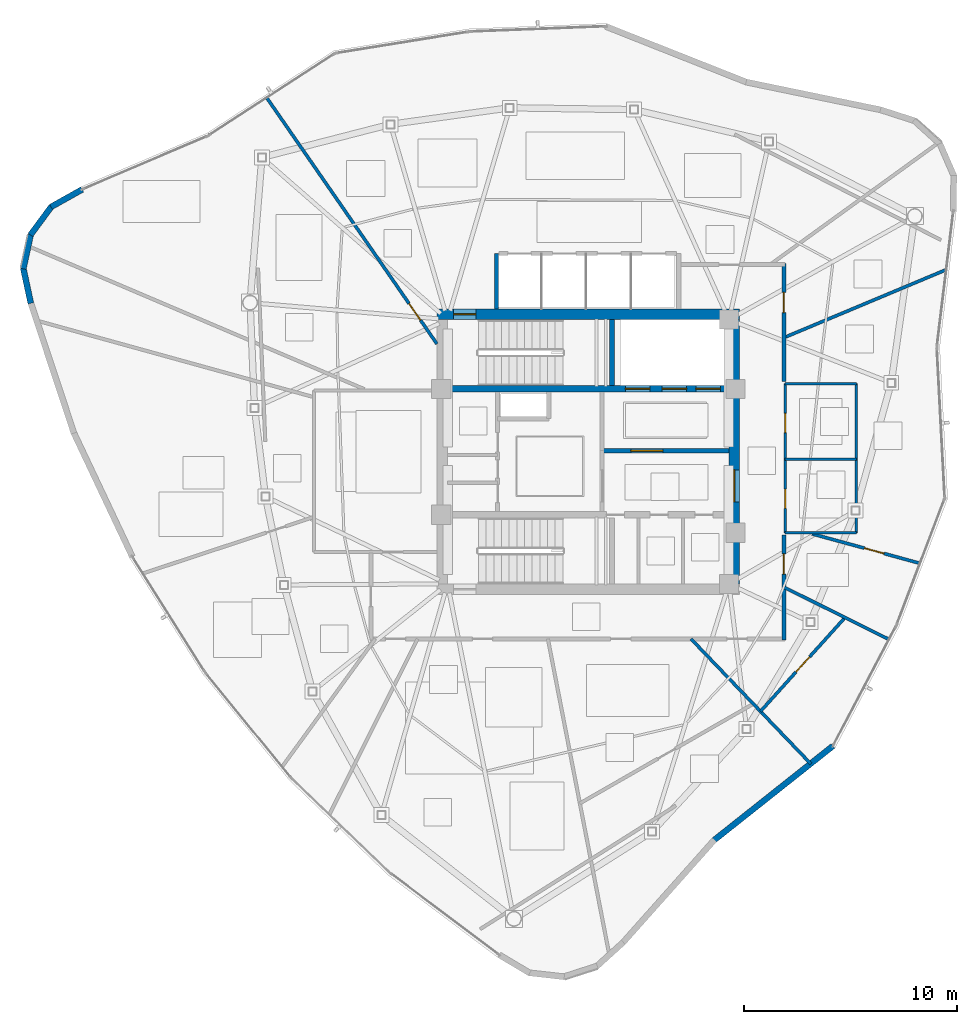
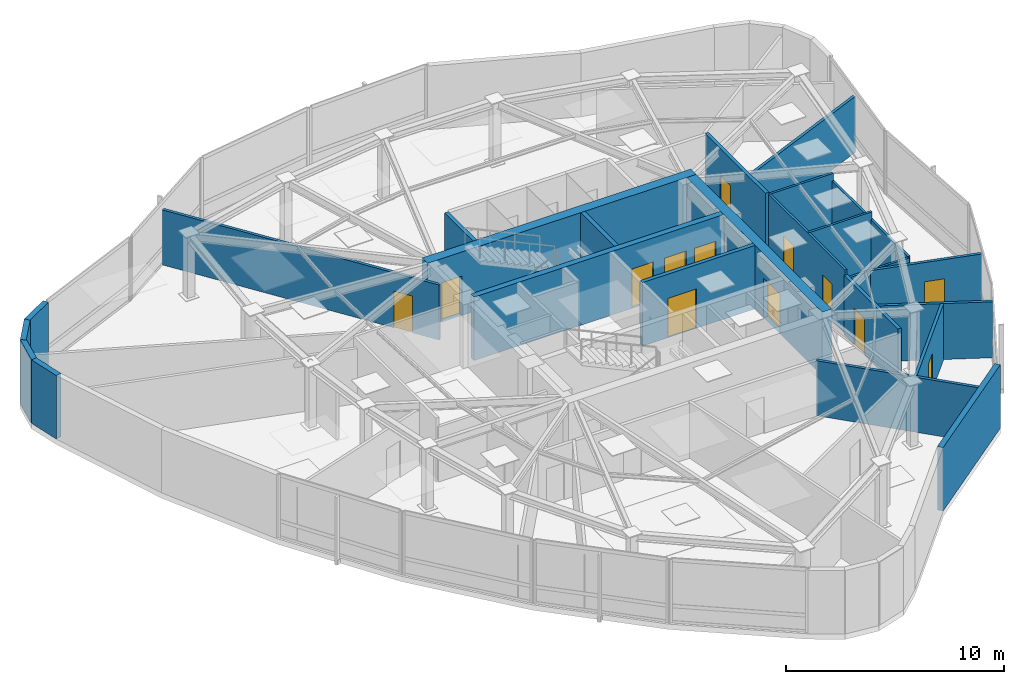
# One storey, part 9 of 12: 24 walls, 13 doors, 13 openings.
"""IFC4 building model written with IfcOpenShell, lengths in metres."""

from ifc_helpers import new_model, si_unit, direction, frame, frame_2d, origin, place, context, subcontext, project, spatial, rectangle, extrude, material, layer, layer_set, type_object, element, fill, save


model = new_model("IFC4")

# Units and contexts
model_context = context("Model", 3, precision=1e-05, world=origin(), true_north=direction((0.0, 1.0)))
body_context = subcontext(model_context, "Body", "Model", "MODEL_VIEW")
ifc_project = project(units=[si_unit("LENGTHUNIT", "METRE"), si_unit("AREAUNIT", "SQUARE_METRE"), si_unit("VOLUMEUNIT", "CUBIC_METRE"), si_unit("PLANEANGLEUNIT", "RADIAN"), si_unit("MASSUNIT", "GRAM", prefix="KILO")], contexts=[model_context])

# Site, building, storey
site_placement = place(None, origin())
site = spatial("IfcSite", under=ifc_project, at=site_placement, CompositionType="ELEMENT")
building_placement = place(site_placement, origin())
building = spatial("IfcBuilding", under=site, at=building_placement, Name="Tavelor Broadcast Tower", CompositionType="ELEMENT")
storey_placement = place(building_placement, frame((0.0, 0.0, 321.5)))
storey = spatial("IfcBuildingStorey", under=building, at=storey_placement, Name="L77", CompositionType="ELEMENT", Elevation=321.5)

# Wall, opening, door
ifc_material_1 = material(Name="Concrete C50/60", Category="concrete")
ifc_layer_1 = layer(ifc_material_1, 0.5)
ifc_layer_set_1 = layer_set([ifc_layer_1], Name="Concrete C50/60")
wall_type_1 = type_object("IfcWallType", Name="Core Shear Wall 500 mm", PredefinedType="SHEAR", material=ifc_layer_set_1)
wall_1_placement = place(storey_placement, frame((42.89990234375, 51.449951171875, 0.0), z_axis=(0.0, 0.0, 1.0), x_axis=(1.0, 0.0, 0.0)))
wall_1 = element("IfcWall", 1, at=wall_1_placement, inside=storey, type_object=wall_type_1, Name="L77 Central Core Shear Wall N", PredefinedType="SHEAR", context=body_context, shape_type="SweptSolid", body=[
    extrude(rectangle(XDim=14.2001953125, YDim=0.5, at=frame_2d((7.10009765625, 0.0))), origin(), (0.0, 0.0, 1.0), 3.550048828125),
])
opening_1_placement = place(wall_1_placement, frame((0.780029296875, 0.0, 0.0)))
opening_1 = element("IfcOpeningElement", 2, at=opening_1_placement, cuts=wall_1, Name="Opening DR11", PredefinedType="OPENING", context=body_context, shape_type="SweptSolid", body=[
    extrude(rectangle(XDim=1.050048828125, YDim=2.199951171875, at=frame_2d((0.52490234375, 1.10009765625))), frame((0.0, 0.260009765625, 0.0), z_axis=(0.0, -1.0, 0.0), x_axis=(1.0, 0.0, 0.0)), (0.0, 0.0, 1.0), 0.52001953125),
])
ifc_material_2 = material(Name="Steel S355", Category="steel")
door_type_1 = type_object("IfcDoorType", Name="Stair Core Fire Escape Door 1050x2200", OperationType="NOTDEFINED", PredefinedType="DOOR", material=ifc_material_2)
door_1_placement = place(opening_1_placement, origin())
door_1 = element("IfcDoor", 3, at=door_1_placement, inside=storey, type_object=door_type_1, Name="L77 Stair ST1 Protected Exit Door", OperationType="SINGLE_SWING_LEFT", OverallHeight=2.199951171875, OverallWidth=1.050048828125, PredefinedType="DOOR", context=body_context, shape_type="SweptSolid", body=[
    extrude(rectangle(XDim=1.050048828125, YDim=2.199951171875, at=frame_2d((0.52490234375, 1.10009765625))), frame((0.0, 0.02490234375, 0.0), z_axis=(0.0, -1.0, 0.0), x_axis=(1.0, 0.0, 0.0)), (0.0, 0.0, 1.0), 0.050048828125),
])
fill(opening_1, door_1)

wall_2_placement = place(storey_placement, frame((56.85009765625, 38.800048828125, 0.0), z_axis=(0.0, 0.0, 1.0), x_axis=(0.0, 1.0, 0.0)))
wall_2 = element("IfcWall", 4, at=wall_2_placement, inside=storey, type_object=wall_type_1, Name="L77 Central Core Shear Wall E", PredefinedType="SHEAR", context=body_context, shape_type="SweptSolid", body=[
    extrude(rectangle(XDim=12.39990234375, YDim=0.5, at=frame_2d((6.199951171875, 0.0))), origin(), (0.0, 0.0, 1.0), 3.550048828125),
])
opening_2_placement = place(wall_2_placement, frame((3.85009765625, 0.0, 0.0)))
opening_2 = element("IfcOpeningElement", 5, at=opening_2_placement, cuts=wall_2, Name="Opening DR14", PredefinedType="OPENING", context=body_context, shape_type="SweptSolid", body=[
    extrude(rectangle(XDim=1.5, YDim=2.199951171875, at=frame_2d((0.75, 1.10009765625))), frame((0.0, 0.260009765625, 0.0), z_axis=(0.0, -1.0, 0.0), x_axis=(1.0, 0.0, 0.0)), (0.0, 0.0, 1.0), 0.52001953125),
])
door_type_2 = type_object("IfcDoorType", Name="Firefighting Lobby Double Fire Door 1500x2200", OperationType="NOTDEFINED", PredefinedType="DOOR", material=ifc_material_2)
door_2_placement = place(opening_2_placement, origin())
door_2 = element("IfcDoor", 6, at=door_2_placement, inside=storey, type_object=door_type_2, Name="L77 Central Core Lobby Fire Door", OperationType="SINGLE_SWING_RIGHT", OverallHeight=2.199951171875, OverallWidth=1.5, PredefinedType="DOOR", context=body_context, shape_type="SweptSolid", body=[
    extrude(rectangle(XDim=1.5, YDim=2.199951171875, at=frame_2d((0.75, 1.10009765625))), frame((0.0, 0.02490234375, 0.0), z_axis=(0.0, -1.0, 0.0), x_axis=(1.0, 0.0, 0.0)), (0.0, 0.0, 1.0), 0.050048828125),
])
fill(opening_2, door_2)

# Wall, openings, doors
ifc_layer_2 = layer(ifc_material_1, 0.300048828125)
ifc_layer_set_2 = layer_set([ifc_layer_2], Name="Concrete C50/60")
wall_type_2 = type_object("IfcWallType", Name="Core Spine Shear Wall 300 mm C50", PredefinedType="SHEAR", material=ifc_layer_set_2)
wall_3_placement = place(storey_placement, frame((43.39990234375, 47.949951171875, 0.0), z_axis=(0.0, 0.0, 1.0), x_axis=(1.0, 0.0, 0.0)))
wall_3 = element("IfcWall", 7, at=wall_3_placement, inside=storey, type_object=wall_type_2, Name="L77 Central Core Shear Wall SP1", PredefinedType="SHEAR", context=body_context, shape_type="SweptSolid", body=[
    extrude(rectangle(XDim=13.2001953125, YDim=0.300048828125, at=frame_2d((6.60009765625, 0.0))), origin(), (0.0, 0.0, 1.0), 3.550048828125),
])
opening_3_placement = place(wall_3_placement, frame((8.344970703125, 0.0, 0.0)))
opening_3 = element("IfcOpeningElement", 8, at=opening_3_placement, cuts=wall_3, Name="Opening LD02", PredefinedType="OPENING", context=body_context, shape_type="SweptSolid", body=[
    extrude(rectangle(XDim=1.14990234375, YDim=2.199951171875, at=frame_2d((0.574951171875, 1.10009765625))), frame((0.0, 0.16015625, 0.0), z_axis=(0.0, -1.0, 0.0), x_axis=(1.0, 0.0, 0.0)), (0.0, 0.0, 1.0), 0.320068359375),
])
opening_4_placement = place(wall_3_placement, frame((10.06494140625, 0.0, 0.0)))
opening_4 = element("IfcOpeningElement", 9, at=opening_4_placement, cuts=wall_3, Name="Opening LD02", PredefinedType="OPENING", context=body_context, shape_type="SweptSolid", body=[
    extrude(rectangle(XDim=1.14990234375, YDim=2.199951171875, at=frame_2d((0.574951171875, 1.10009765625))), frame((0.0, 0.16015625, 0.0), z_axis=(0.0, -1.0, 0.0), x_axis=(1.0, 0.0, 0.0)), (0.0, 0.0, 1.0), 0.320068359375),
])
opening_5_placement = place(wall_3_placement, frame((11.64501953125, 0.0, 0.0)))
opening_5 = element("IfcOpeningElement", 10, at=opening_5_placement, cuts=wall_3, Name="Opening LD03", PredefinedType="OPENING", context=body_context, shape_type="SweptSolid", body=[
    extrude(rectangle(XDim=1.14990234375, YDim=2.199951171875, at=frame_2d((0.574951171875, 1.10009765625))), frame((0.0, 0.16015625, 0.0), z_axis=(0.0, -1.0, 0.0), x_axis=(1.0, 0.0, 0.0)), (0.0, 0.0, 1.0), 0.320068359375),
])
ifc_material_3 = material(Name="Reinforced Brushed Stainless Steel", Category="concrete")
door_type_3 = type_object("IfcDoorType", Name="Broadcast Goods Lift Sliding Landing Door 1250x2200", OperationType="NOTDEFINED", PredefinedType="DOOR", material=ifc_material_3)
door_3_placement = place(opening_5_placement, origin())
door_3 = element("IfcDoor", 11, at=door_3_placement, inside=storey, type_object=door_type_3, Name="L77 Lift SVL1 Sliding Landing Door", OperationType="SLIDING_TO_LEFT", OverallHeight=2.199951171875, OverallWidth=1.14990234375, PredefinedType="DOOR", context=body_context, shape_type="SweptSolid", body=[
    extrude(rectangle(XDim=1.14990234375, YDim=2.199951171875, at=frame_2d((0.574951171875, 1.10009765625))), frame((0.0, 0.02490234375, 0.0), z_axis=(0.0, -1.0, 0.0), x_axis=(1.0, 0.0, 0.0)), (0.0, 0.0, 1.0), 0.050048828125),
])
fill(opening_5, door_3)
ifc_material_4 = material(Name="Fire-Rated Stainless Steel", Category="steel")
door_type_4 = type_object("IfcDoorType", Name="Firefighting Lift Sliding Landing Door 1200x2200", OperationType="NOTDEFINED", PredefinedType="DOOR", material=ifc_material_4)
door_4_placement = place(opening_3_placement, origin())
door_4 = element("IfcDoor", 12, at=door_4_placement, inside=storey, type_object=door_type_4, Name="L77 Lift FFL1 Sliding Landing Door", OperationType="SLIDING_TO_LEFT", OverallHeight=2.199951171875, OverallWidth=1.14990234375, PredefinedType="DOOR", context=body_context, shape_type="SweptSolid", body=[
    extrude(rectangle(XDim=1.14990234375, YDim=2.199951171875, at=frame_2d((0.574951171875, 1.10009765625))), frame((0.0, 0.02490234375, 0.0), z_axis=(0.0, -1.0, 0.0), x_axis=(1.0, 0.0, 0.0)), (0.0, 0.0, 1.0), 0.050048828125),
])
fill(opening_3, door_4)
door_5_placement = place(opening_4_placement, origin())
door_5 = element("IfcDoor", 13, at=door_5_placement, inside=storey, type_object=door_type_4, Name="L77 Lift FFL2 Sliding Landing Door", OperationType="SLIDING_TO_LEFT", OverallHeight=2.199951171875, OverallWidth=1.14990234375, PredefinedType="DOOR", context=body_context, shape_type="SweptSolid", body=[
    extrude(rectangle(XDim=1.14990234375, YDim=2.199951171875, at=frame_2d((0.574951171875, 1.10009765625))), frame((0.0, 0.02490234375, 0.0), z_axis=(0.0, -1.0, 0.0), x_axis=(1.0, 0.0, 0.0)), (0.0, 0.0, 1.0), 0.050048828125),
])
fill(opening_4, door_5)

# Wall, opening, door
ifc_material_5 = material(Name="Calcium Silicate Fire Board 180 mm", Category="gypsum")
ifc_layer_3 = layer(ifc_material_5, 0.179931640625)
ifc_layer_set_3 = layer_set([ifc_layer_3], Name="Calcium Silicate Fire Board 180 mm")
wall_type_3 = type_object("IfcWallType", Name="Fire-Rated Corridor Partition Wall 180 mm", PredefinedType="PARTITIONING", material=ifc_layer_set_3)
wall_4_placement = place(storey_placement, frame((59.179931640625, 53.830078125, 0.0), z_axis=(0.0, 0.0, 1.0), x_axis=(0.0, -1.0, 0.0)))
wall_4 = element("IfcWall", 14, at=wall_4_placement, inside=storey, type_object=wall_type_3, Name="L77 Corridor Compartment Wall 02", PredefinedType="PARTITIONING", context=body_context, shape_type="SweptSolid", body=[
    extrude(rectangle(XDim=5.530029296875, YDim=0.179931640625, at=frame_2d((2.76513671875, 0.0))), origin(), (0.0, 0.0, 1.0), 3.550048828125),
])
opening_6_placement = place(wall_4_placement, frame((1.35498046875, 0.0, 0.0)))
opening_6 = element("IfcOpeningElement", 15, at=opening_6_placement, cuts=wall_4, Name="Opening DR18", PredefinedType="OPENING", context=body_context, shape_type="SweptSolid", body=[
    extrude(rectangle(XDim=0.949951171875, YDim=2.050048828125, at=frame_2d((0.47509765625, 1.02490234375))), frame((0.0, 0.10009765625, 0.0), z_axis=(0.0, -1.0, 0.0), x_axis=(1.0, 0.0, 0.0)), (0.0, 0.0, 1.0), 0.199951171875),
])
ifc_material_6 = material(Name="Timber Solid Core Hardwood", Category="wood")
door_type_5 = type_object("IfcDoorType", Name="Corridor Rated Compartment Door 950x2050", OperationType="NOTDEFINED", PredefinedType="DOOR", material=ifc_material_6)
door_6_placement = place(opening_6_placement, origin())
door_6 = element("IfcDoor", 16, at=door_6_placement, inside=storey, type_object=door_type_5, Name="L77 Standards Huddle Room Door R0", OperationType="SINGLE_SWING_RIGHT", OverallHeight=2.050048828125, OverallWidth=0.949951171875, PredefinedType="DOOR", context=body_context, shape_type="SweptSolid", body=[
    extrude(rectangle(XDim=0.949951171875, YDim=2.050048828125, at=frame_2d((0.47509765625, 1.02490234375))), frame((0.0, 0.02490234375, 0.0), z_axis=(0.0, -1.0, 0.0), x_axis=(1.0, 0.0, 0.0)), (0.0, 0.0, 1.0), 0.050048828125),
])
fill(opening_6, door_6)

wall_5_placement = place(storey_placement, frame((59.179931640625, 41.10009765625, 0.0), z_axis=(0.0, 0.0, 1.0), x_axis=(0.0, -1.0, 0.0)))
wall_5 = element("IfcWall", 17, at=wall_5_placement, inside=storey, type_object=wall_type_3, Name="L77 Corridor Compartment Wall 03", PredefinedType="PARTITIONING", context=body_context, shape_type="SweptSolid", body=[
    extrude(rectangle(XDim=4.93017578125, YDim=0.179931640625, at=frame_2d((2.465087890625, 0.0))), origin(), (0.0, 0.0, 1.0), 3.324951171875),
])
opening_7_placement = place(wall_5_placement, frame((0.890380859375, 0.0, 0.0)))
opening_7 = element("IfcOpeningElement", 18, at=opening_7_placement, cuts=wall_5, Name="Opening DR18", PredefinedType="OPENING", context=body_context, shape_type="SweptSolid", body=[
    extrude(rectangle(XDim=0.949951171875, YDim=2.050048828125, at=frame_2d((0.47509765625, 1.02490234375))), frame((0.0, 0.10009765625, 0.0), z_axis=(0.0, -1.0, 0.0), x_axis=(1.0, 0.0, 0.0)), (0.0, 0.0, 1.0), 0.199951171875),
])
door_7_placement = place(opening_7_placement, origin())
door_7 = element("IfcDoor", 19, at=door_7_placement, inside=storey, type_object=door_type_5, Name="L77 Newsroom Huddle Room Door R2", OperationType="SINGLE_SWING_LEFT", OverallHeight=2.050048828125, OverallWidth=0.949951171875, PredefinedType="DOOR", context=body_context, shape_type="SweptSolid", body=[
    extrude(rectangle(XDim=0.949951171875, YDim=2.050048828125, at=frame_2d((0.47509765625, 1.02490234375))), frame((0.0, 0.02490234375, 0.0), z_axis=(0.0, -1.0, 0.0), x_axis=(1.0, 0.0, 0.0)), (0.0, 0.0, 1.0), 0.050048828125),
])
fill(opening_7, door_7)

# Walls
ifc_material_7 = material(Name="Precast Concrete C40/50", Category="concrete")
ifc_layer_4 = layer(ifc_material_7, 0.280029296875)
ifc_layer_set_4 = layer_set([ifc_layer_4], Name="Precast Concrete C40/50")
wall_type_4 = type_object("IfcWallType", Name="Insulated Precast Terracotta Facade Wall 280 mm", PredefinedType="STANDARD", material=ifc_layer_set_4)
wall_6_placement = place(storey_placement, frame((26.25390625, 57.304443359375, 0.0), z_axis=(0.0, 0.0, 1.0), x_axis=(-0.872518476732, -0.48858111687, 0.0)))
element("IfcWall", 20, at=wall_6_placement, inside=storey, type_object=wall_type_4, Name="L77 Rounded Corner Structural Cladding Pier 01", PredefinedType="STANDARD", context=body_context, shape_type="SweptSolid", body=[
    extrude(rectangle(XDim=1.67041015625, YDim=0.280029296875, at=frame_2d((0.835205078125, 0.0))), origin(), (0.0, 0.0, 1.0), 3.550048828125),
])
for number, where, z_axis, x_axis, name in (
    (21, (24.818359375, 56.5078125, 0.0), (0.0, 0.0, 1.0), (-0.59400200092, -0.804463562197, 0.0), "L77 Rounded Corner Structural Cladding Pier 02"),
    (22, (23.844970703125, 55.2001953125, 0.0), (0.0, 0.0, 1.0), (-0.210443563341, -0.977606007883, 0.0), "L77 Rounded Corner Structural Cladding Pier 03"),
):
    element("IfcWall", number, at=place(storey_placement, frame(where, z_axis=z_axis, x_axis=x_axis)), inside=storey, type_object=wall_type_4, Name=name, PredefinedType="STANDARD", context=body_context, shape_type="SweptSolid", body=[
        extrude(rectangle(XDim=1.658935546875, YDim=0.280029296875, at=frame_2d((0.82958984375, 0.0))), origin(), (0.0, 0.0, 1.0), 3.550048828125),
    ])
wall_7_placement = place(storey_placement, frame((23.495849609375, 53.607666015625, 0.0), z_axis=(0.0, 0.0, 1.0), x_axis=(0.210391694938, -0.977617171853, 0.0)))
element("IfcWall", 23, at=wall_7_placement, inside=storey, type_object=wall_type_4, Name="L77 Rounded Corner Structural Cladding Pier 04", PredefinedType="STANDARD", context=body_context, shape_type="SweptSolid", body=[
    extrude(rectangle(XDim=1.681396484375, YDim=0.280029296875, at=frame_2d((0.8408203125, 0.0))), origin(), (0.0, 0.0, 1.0), 3.550048828125),
])
wall_8_placement = place(storey_placement, frame((55.899658203125, 26.775146484375, 0.0), z_axis=(0.0, 0.0, 1.0), x_axis=(0.783668684823, 0.621179034118, 0.0)))
element("IfcWall", 24, at=wall_8_placement, inside=storey, type_object=wall_type_4, Name="L77 Rounded Corner Structural Cladding Pier 16", PredefinedType="STANDARD", context=body_context, shape_type="SweptSolid", body=[
    extrude(rectangle(XDim=7.117431640625, YDim=0.280029296875, at=frame_2d((3.55859375, 0.0))), origin(), (0.0, 0.0, 1.0), 3.550048828125),
])
ifc_material_8 = material(Name="Gypsum Acoustic Plasterboard 150 mm", Category="gypsum")
ifc_layer_5 = layer(ifc_material_8, 0.14990234375)
ifc_layer_set_5 = layer_set([ifc_layer_5], Name="Gypsum Acoustic Plasterboard 150 mm")
wall_type_5 = type_object("IfcWallType", Name="Interior Acoustic Partition Wall 150 mm", PredefinedType="PARTITIONING", material=ifc_layer_set_5)
wall_9_placement = place(storey_placement, frame((54.821044921875, 36.219970703125, 0.0), z_axis=(0.0, 0.0, 1.0), x_axis=(0.69220120833, -0.721704570573, 0.0)))
element("IfcWall", 25, at=wall_9_placement, inside=storey, type_object=wall_type_5, Name="L77 Radial Compartment Wall 02", PredefinedType="PARTITIONING", context=body_context, shape_type="SweptSolid", body=[
    extrude(rectangle(XDim=8.11767578125, YDim=0.14990234375, at=frame_2d((4.058837890625, 0.0))), origin(), (0.0, 0.0, 1.0), 3.074951171875),
])
wall_10_placement = place(storey_placement, frame((59.179931640625, 38.64794921875, 0.0), z_axis=(0.0, 0.0, 1.0), x_axis=(0.895495908624, -0.445069744689, 0.0)))
element("IfcWall", 26, at=wall_10_placement, inside=storey, type_object=wall_type_5, Name="L77 Radial Compartment Wall 03", PredefinedType="PARTITIONING", context=body_context, shape_type="SweptSolid", body=[
    extrude(rectangle(XDim=5.51513671875, YDim=0.14990234375, at=frame_2d((2.757568359375, 0.0))), origin(), (0.0, 0.0, 1.0), 3.125),
])

# Wall, opening, door
wall_11_placement = place(storey_placement, frame((60.496337890625, 41.14990234375, 0.0), z_axis=(0.0, 0.0, 1.0), x_axis=(0.964681322474, -0.263419714655, 0.0)))
wall_11 = element("IfcWall", 27, at=wall_11_placement, inside=storey, type_object=wall_type_5, Name="L77 Radial Compartment Wall 04", PredefinedType="PARTITIONING", context=body_context, shape_type="SweptSolid", body=[
    extrude(rectangle(XDim=5.261474609375, YDim=0.14990234375, at=frame_2d((2.630859375, 0.0))), origin(), (0.0, 0.0, 1.0), 3.125),
])
opening_8_placement = place(wall_11_placement, frame((2.550048828125, 0.0, 0.0)))
opening_8 = element("IfcOpeningElement", 28, at=opening_8_placement, cuts=wall_11, Name="Opening DR18", PredefinedType="OPENING", context=body_context, shape_type="SweptSolid", body=[
    extrude(rectangle(XDim=0.949951171875, YDim=2.050048828125, at=frame_2d((0.47509765625, 1.02490234375))), frame((0.0, 0.0849609375, 0.0), z_axis=(0.0, -1.0, 0.0), x_axis=(1.0, 0.0, 0.0)), (0.0, 0.0, 1.0), 0.169921875),
])
door_8_placement = place(opening_8_placement, origin())
door_8 = element("IfcDoor", 29, at=door_8_placement, inside=storey, type_object=door_type_5, Name="L77 Suite Connecting Door 1", OperationType="SINGLE_SWING_RIGHT", OverallHeight=2.050048828125, OverallWidth=0.949951171875, PredefinedType="DOOR", context=body_context, shape_type="SweptSolid", body=[
    extrude(rectangle(XDim=0.949951171875, YDim=2.050048828125, at=frame_2d((0.47509765625, 1.02490234375))), frame((0.0, 0.02490234375, 0.0), z_axis=(0.0, -1.0, 0.0), x_axis=(1.0, 0.0, 0.0)), (0.0, 0.0, 1.0), 0.050048828125),
])
fill(opening_8, door_8)

# Wall
wall_12_placement = place(storey_placement, frame((59.179931640625, 50.353515625, 0.0), z_axis=(0.0, 0.0, 1.0), x_axis=(0.922338705377, 0.38638233987, 0.0)))
element("IfcWall", 30, at=wall_12_placement, inside=storey, type_object=wall_type_5, Name="L77 Radial Compartment Wall 05", PredefinedType="PARTITIONING", context=body_context, shape_type="SweptSolid", body=[
    extrude(rectangle(XDim=8.267333984375, YDim=0.14990234375, at=frame_2d((4.1337890625, 0.0))), origin(), (0.0, 0.0, 1.0), 3.125),
])

# Wall, opening, door
wall_13_placement = place(storey_placement, frame((42.89990234375, 50.0625, 0.0), z_axis=(0.0, 0.0, 1.0), x_axis=(-0.568663071572, 0.822570550792, 0.0)))
wall_13 = element("IfcWall", 31, at=wall_13_placement, inside=storey, type_object=wall_type_5, Name="L77 Radial Compartment Wall 07", PredefinedType="PARTITIONING", context=body_context, shape_type="SweptSolid", body=[
    extrude(rectangle(XDim=14.047119140625, YDim=0.14990234375, at=frame_2d((7.0234375, 0.0))), origin(), (0.0, 0.0, 1.0), 3.074951171875),
])
opening_9_placement = place(wall_13_placement, frame((1.35009765625, 0.0, 0.0)))
opening_9 = element("IfcOpeningElement", 32, at=opening_9_placement, cuts=wall_13, Name="Opening DR18", PredefinedType="OPENING", context=body_context, shape_type="SweptSolid", body=[
    extrude(rectangle(XDim=0.949951171875, YDim=2.050048828125, at=frame_2d((0.47509765625, 1.02490234375))), frame((0.0, 0.0849609375, 0.0), z_axis=(0.0, -1.0, 0.0), x_axis=(1.0, 0.0, 0.0)), (0.0, 0.0, 1.0), 0.169921875),
])
door_9_placement = place(opening_9_placement, origin())
door_9 = element("IfcDoor", 33, at=door_9_placement, inside=storey, type_object=door_type_5, Name="L77 Suite Connecting Door 8", OperationType="SINGLE_SWING_LEFT", OverallHeight=2.050048828125, OverallWidth=0.949951171875, PredefinedType="DOOR", context=body_context, shape_type="SweptSolid", body=[
    extrude(rectangle(XDim=0.949951171875, YDim=2.050048828125, at=frame_2d((0.47509765625, 1.02490234375))), frame((0.0, 0.02490234375, 0.0), z_axis=(0.0, -1.0, 0.0), x_axis=(1.0, 0.0, 0.0)), (0.0, 0.0, 1.0), 0.050048828125),
])
fill(opening_9, door_9)

wall_14_placement = place(storey_placement, frame((58.080078125, 32.822021484375, 0.0), z_axis=(0.0, 0.0, 1.0), x_axis=(0.669174172191, 0.743105596314, 0.0)))
wall_14 = element("IfcWall", 34, at=wall_14_placement, inside=storey, type_object=wall_type_5, Name="L77 Suite Chord Partition Wall 02", PredefinedType="PARTITIONING", context=body_context, shape_type="SweptSolid", body=[
    extrude(rectangle(XDim=5.92431640625, YDim=0.14990234375, at=frame_2d((2.962158203125, 0.0))), origin(), (0.0, 0.0, 1.0), 3.125),
])
opening_10_placement = place(wall_14_placement, frame((2.487060546875, 0.0, 0.0)))
opening_10 = element("IfcOpeningElement", 35, at=opening_10_placement, cuts=wall_14, Name="Opening DR23", PredefinedType="OPENING", context=body_context, shape_type="SweptSolid", body=[
    extrude(rectangle(XDim=0.949951171875, YDim=2.050048828125, at=frame_2d((0.47509765625, 1.02490234375))), frame((0.0, 0.0849609375, 0.0), z_axis=(0.0, -1.0, 0.0), x_axis=(1.0, 0.0, 0.0)), (0.0, 0.0, 1.0), 0.169921875),
])
door_type_6 = type_object("IfcDoorType", Name="Editorial Room Acoustic Door 950x2050", OperationType="NOTDEFINED", PredefinedType="DOOR", material=ifc_material_6)
door_10_placement = place(opening_10_placement, origin())
door_10 = element("IfcDoor", 36, at=door_10_placement, inside=storey, type_object=door_type_6, Name="L77 Outer Suite Partition Door 2", OperationType="SINGLE_SWING_RIGHT", OverallHeight=2.050048828125, OverallWidth=0.949951171875, PredefinedType="DOOR", context=body_context, shape_type="SweptSolid", body=[
    extrude(rectangle(XDim=0.949951171875, YDim=2.050048828125, at=frame_2d((0.47509765625, 1.02490234375))), frame((0.0, 0.02490234375, 0.0), z_axis=(0.0, -1.0, 0.0), x_axis=(1.0, 0.0, 0.0)), (0.0, 0.0, 1.0), 0.050048828125),
])
fill(opening_10, door_10)

# Wall
ifc_material_9 = material(Name="Concrete Blockwork 200 mm", Category="masonry")
ifc_layer_6 = layer(ifc_material_9, 0.199951171875)
ifc_layer_set_6 = layer_set([ifc_layer_6], Name="Concrete Blockwork 200 mm")
wall_type_6 = type_object("IfcWallType", Name="Lift and Riser Shaft Enclosure Wall 200 mm", PredefinedType="PARTITIONING", material=ifc_layer_set_6)
wall_15_placement = place(storey_placement, frame((45.699951171875, 51.699951171875, 0.0), z_axis=(0.0, 0.0, 1.0), x_axis=(0.0, 1.0, 0.0)))
element("IfcWall", 37, at=wall_15_placement, inside=storey, type_object=wall_type_6, Name="L77 High-Rise Lift Shaft West Wall", PredefinedType="PARTITIONING", context=body_context, shape_type="SweptSolid", body=[
    extrude(rectangle(XDim=2.60009765625, YDim=0.199951171875, at=frame_2d((1.300048828125, 0.0))), origin(), (0.0, 0.0, 1.0), 3.550048828125),
])

# Wall, opening, door
wall_16_placement = place(storey_placement, frame((50.64990234375, 45.050048828125, 0.0), z_axis=(0.0, 0.0, 1.0), x_axis=(1.0, 0.0, 0.0)))
wall_16 = element("IfcWall", 38, at=wall_16_placement, inside=storey, type_object=wall_type_6, Name="L77 Firefighting Lobby South Wall", PredefinedType="PARTITIONING", context=body_context, shape_type="SweptSolid", body=[
    extrude(rectangle(XDim=5.9501953125, YDim=0.199951171875, at=frame_2d((2.97509765625, 0.0))), origin(), (0.0, 0.0, 1.0), 3.550048828125),
])
opening_11_placement = place(wall_16_placement, frame((1.35009765625, 0.0, 0.0)))
opening_11 = element("IfcOpeningElement", 39, at=opening_11_placement, cuts=wall_16, Name="Opening DR14", PredefinedType="OPENING", context=body_context, shape_type="SweptSolid", body=[
    extrude(rectangle(XDim=1.5, YDim=2.199951171875, at=frame_2d((0.75, 1.10009765625))), frame((0.0, 0.10986328125, 0.0), z_axis=(0.0, -1.0, 0.0), x_axis=(1.0, 0.0, 0.0)), (0.0, 0.0, 1.0), 0.219970703125),
])
door_11_placement = place(opening_11_placement, origin())
door_11 = element("IfcDoor", 40, at=door_11_placement, inside=storey, type_object=door_type_2, Name="L77 Firefighting Lobby Compartment Door", OperationType="SINGLE_SWING_LEFT", OverallHeight=2.199951171875, OverallWidth=1.5, PredefinedType="DOOR", context=body_context, shape_type="SweptSolid", body=[
    extrude(rectangle(XDim=1.5, YDim=2.199951171875, at=frame_2d((0.75, 1.10009765625))), frame((0.0, 0.02490234375, 0.0), z_axis=(0.0, -1.0, 0.0), x_axis=(1.0, 0.0, 0.0)), (0.0, 0.0, 1.0), 0.050048828125),
])
fill(opening_11, door_11)

# Wall, openings, doors
ifc_material_10 = material(Name="Moisture-Resistant Plasterboard 120 mm", Category="gypsum")
ifc_layer_7 = layer(ifc_material_10, 0.1201171875)
ifc_layer_set_7 = layer_set([ifc_layer_7], Name="Moisture-Resistant Plasterboard 120 mm")
wall_type_7 = type_object("IfcWallType", Name="Moisture-Resistant Wet-Room Partition 120 mm", PredefinedType="PARTITIONING", material=ifc_layer_set_7)
wall_17_placement = place(storey_placement, frame((59.239990234375, 41.199951171875, 0.0), z_axis=(0.0, 0.0, 1.0), x_axis=(0.0, 1.0, 0.0)))
wall_17 = element("IfcWall", 41, at=wall_17_placement, inside=storey, type_object=wall_type_7, Name="L77 Floor Washrooms West Wall", PredefinedType="PARTITIONING", context=body_context, shape_type="SweptSolid", body=[
    extrude(rectangle(XDim=7.0, YDim=0.1201171875, at=frame_2d((3.5, 0.0))), origin(), (0.0, 0.0, 1.0), 3.550048828125),
])
opening_12_placement = place(wall_17_placement, frame((1.14990234375, 0.0, 0.0)))
opening_12 = element("IfcOpeningElement", 42, at=opening_12_placement, cuts=wall_17, Name="Opening DR32", PredefinedType="OPENING", context=body_context, shape_type="SweptSolid", body=[
    extrude(rectangle(XDim=0.89990234375, YDim=2.050048828125, at=frame_2d((0.449951171875, 1.02490234375))), frame((0.0, 0.070068359375, 0.0), z_axis=(0.0, -1.0, 0.0), x_axis=(1.0, 0.0, 0.0)), (0.0, 0.0, 1.0), 0.14013671875),
])
opening_13_placement = place(wall_17_placement, frame((4.699951171875, 0.0, 0.0)))
opening_13 = element("IfcOpeningElement", 43, at=opening_13_placement, cuts=wall_17, Name="Opening DR32", PredefinedType="OPENING", context=body_context, shape_type="SweptSolid", body=[
    extrude(rectangle(XDim=0.89990234375, YDim=2.050048828125, at=frame_2d((0.449951171875, 1.02490234375))), frame((0.0, 0.070068359375, 0.0), z_axis=(0.0, -1.0, 0.0), x_axis=(1.0, 0.0, 0.0)), (0.0, 0.0, 1.0), 0.14013671875),
])
door_type_7 = type_object("IfcDoorType", Name="Accessible Washroom Door 900x2050", OperationType="NOTDEFINED", PredefinedType="DOOR", material=ifc_material_6)
door_12_placement = place(opening_12_placement, origin())
door_12 = element("IfcDoor", 44, at=door_12_placement, inside=storey, type_object=door_type_7, Name="L77 Accessible WC Door", OperationType="SINGLE_SWING_LEFT", OverallHeight=2.050048828125, OverallWidth=0.89990234375, PredefinedType="DOOR", context=body_context, shape_type="SweptSolid", body=[
    extrude(rectangle(XDim=0.89990234375, YDim=2.050048828125, at=frame_2d((0.449951171875, 1.02490234375))), frame((0.0, 0.02490234375, 0.0), z_axis=(0.0, -1.0, 0.0), x_axis=(1.0, 0.0, 0.0)), (0.0, 0.0, 1.0), 0.050048828125),
])
fill(opening_12, door_12)
door_13_placement = place(opening_13_placement, origin())
door_13 = element("IfcDoor", 45, at=door_13_placement, inside=storey, type_object=door_type_7, Name="L77 Staff Washroom WC Door", OperationType="SINGLE_SWING_RIGHT", OverallHeight=2.050048828125, OverallWidth=0.89990234375, PredefinedType="DOOR", context=body_context, shape_type="SweptSolid", body=[
    extrude(rectangle(XDim=0.89990234375, YDim=2.050048828125, at=frame_2d((0.449951171875, 1.02490234375))), frame((0.0, 0.02490234375, 0.0), z_axis=(0.0, -1.0, 0.0), x_axis=(1.0, 0.0, 0.0)), (0.0, 0.0, 1.0), 0.050048828125),
])
fill(opening_13, door_13)

# Walls
wall_18_placement = place(storey_placement, frame((59.239990234375, 41.199951171875, 0.0), z_axis=(0.0, 0.0, 1.0), x_axis=(1.0, 0.0, 0.0)))
element("IfcWall", 46, at=wall_18_placement, inside=storey, type_object=wall_type_7, Name="L77 Floor Washrooms South Wall", PredefinedType="PARTITIONING", context=body_context, shape_type="SweptSolid", body=[
    extrude(rectangle(XDim=3.340087890625, YDim=0.1201171875, at=frame_2d((1.669921875, 0.0))), origin(), (0.0, 0.0, 1.0), 3.074951171875),
])
for number, where, z_axis, x_axis, name in (
    (47, (59.239990234375, 44.64990234375, 0.0), (0.0, 0.0, 1.0), (1.0, 0.0, 0.0), "L77 Floor Washrooms Divider Wall"),
    (48, (59.239990234375, 48.199951171875, 0.0), (0.0, 0.0, 1.0), (1.0, 0.0, 0.0), "L77 Floor Washrooms North Wall"),
):
    element("IfcWall", number, at=place(storey_placement, frame(where, z_axis=z_axis, x_axis=x_axis)), inside=storey, type_object=wall_type_7, Name=name, PredefinedType="PARTITIONING", context=body_context, shape_type="SweptSolid", body=[
        extrude(rectangle(XDim=3.340087890625, YDim=0.1201171875, at=frame_2d((1.669921875, 0.0))), origin(), (0.0, 0.0, 1.0), 3.550048828125),
    ])
wall_19_placement = place(storey_placement, frame((62.580078125, 41.199951171875, 0.0), z_axis=(0.0, 0.0, 1.0), x_axis=(0.0, 1.0, 0.0)))
element("IfcWall", 49, at=wall_19_placement, inside=storey, type_object=wall_type_7, Name="L77 Floor Washrooms East Wall", PredefinedType="PARTITIONING", context=body_context, shape_type="SweptSolid", body=[
    extrude(rectangle(XDim=7.0, YDim=0.1201171875, at=frame_2d((3.5, 0.0))), origin(), (0.0, 0.0, 1.0), 3.125),
])
ifc_material_11 = material(Name="Concrete C40/50", Category="concrete")
ifc_layer_8 = layer(ifc_material_11, 0.219970703125)
ifc_layer_set_8 = layer_set([ifc_layer_8], Name="Concrete C40/50")
wall_type_8 = type_object("IfcWallType", Name="Structural Stairwell Shear Wall 220 mm", PredefinedType="SHEAR", material=ifc_layer_set_8)
wall_20_placement = place(storey_placement, frame((51.110107421875, 48.10009765625, 0.0), z_axis=(0.0, 0.0, 1.0), x_axis=(0.0, 1.0, 0.0)))
element("IfcWall", 50, at=wall_20_placement, inside=storey, type_object=wall_type_8, Name="L77 Stair ST1 Structural Shaft Wall", PredefinedType="SHEAR", context=body_context, shape_type="SweptSolid", body=[
    extrude(rectangle(XDim=3.099853515625, YDim=0.219970703125, at=frame_2d((1.5498046875, 0.0))), origin(), (0.0, 0.0, 1.0), 3.550048828125),
])

save(model, "model.ifc")
